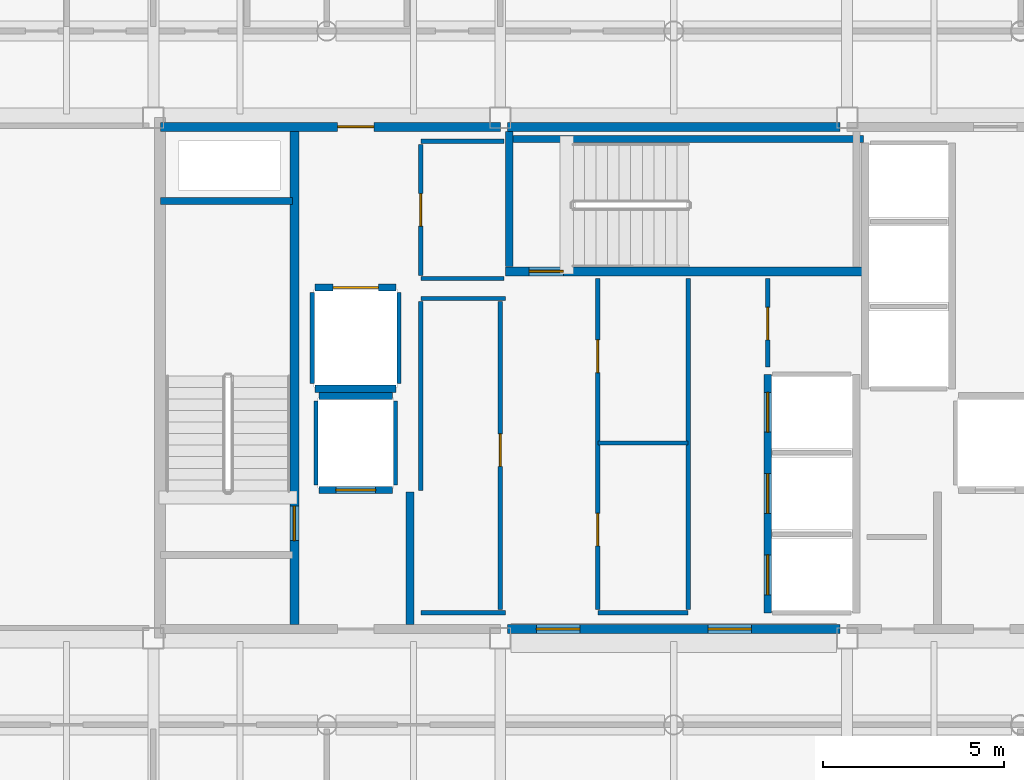
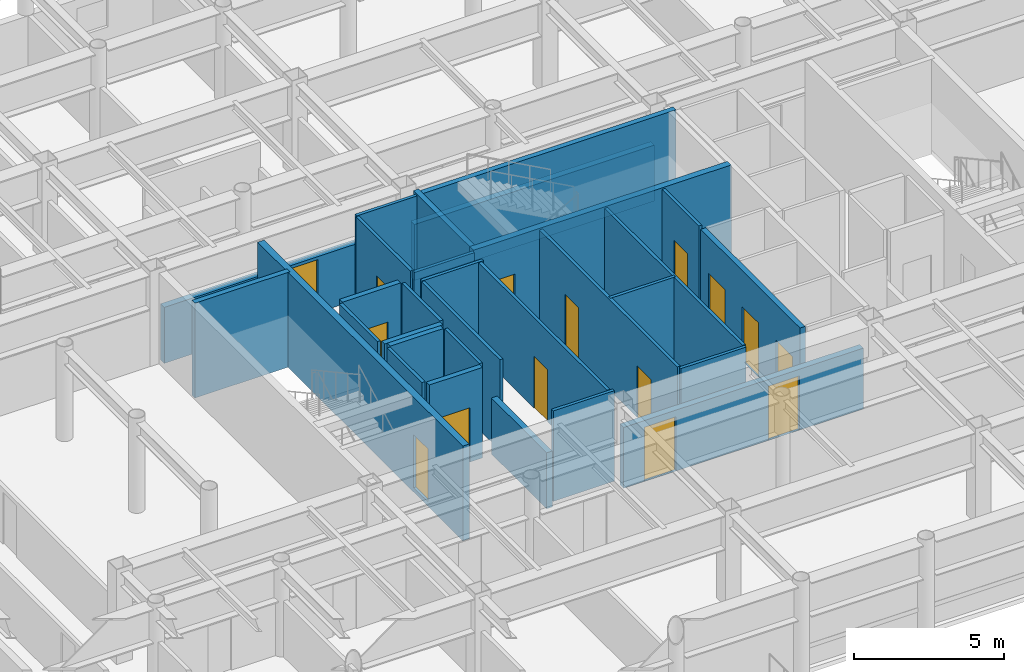
# One storey, part 21 of 26: 30 walls, 15 doors, 15 openings.
"""IFC4 building model written with IfcOpenShell, lengths in metres."""

from ifc_helpers import new_model, si_unit, direction, frame, frame_2d, origin, place, context, subcontext, project, spatial, rectangle, extrude, material, layer, layer_set, type_object, element, fill, save


model = new_model("IFC4")

# Units and contexts
model_context = context("Model", 3, precision=1e-05, world=origin(), true_north=direction((0.0, 1.0)))
body_context = subcontext(model_context, "Body", "Model", "MODEL_VIEW")
ifc_project = project(units=[si_unit("LENGTHUNIT", "METRE"), si_unit("AREAUNIT", "SQUARE_METRE"), si_unit("VOLUMEUNIT", "CUBIC_METRE"), si_unit("PLANEANGLEUNIT", "RADIAN"), si_unit("MASSUNIT", "GRAM", prefix="KILO")], contexts=[model_context])

# Site, building, storey
site_placement = place(None, origin())
site = spatial("IfcSite", under=ifc_project, at=site_placement, CompositionType="ELEMENT")
building_placement = place(site_placement, origin())
building = spatial("IfcBuilding", under=site, at=building_placement, Name="Kallvorn Hotel Tower", CompositionType="ELEMENT")
storey_placement = place(building_placement, frame((0.0, 0.0, 222.300048828125)))
storey = spatial("IfcBuildingStorey", under=building, at=storey_placement, Name="L55", CompositionType="ELEMENT", Elevation=222.300048828125)

# Walls
ifc_material_1 = material(Name="Concrete C40/50", Category="concrete")
ifc_layer_1 = layer(ifc_material_1, 0.219970703125)
ifc_layer_set_1 = layer_set([ifc_layer_1], Name="WL_FFL_220")
wall_type_1 = type_object("IfcWallType", Name="WL_FFL_220", PredefinedType="SOLIDWALL", material=ifc_layer_set_1)
wall_1_placement = place(storey_placement, frame((-7.300048828125, -6.820068359375, 0.0), z_axis=(0.0, 0.0, 1.0), x_axis=(0.0, 1.0, 0.0)))
element("IfcWall", 1, at=wall_1_placement, inside=storey, type_object=wall_type_1, Name="L55 Firefighting Lobby West Divider Wall", PredefinedType="SOLIDWALL", context=body_context, shape_type="SweptSolid", body=[
    extrude(rectangle(XDim=3.670166015625, YDim=0.219970703125, at=frame_2d((1.8349609375, 0.0))), origin(), (0.0, 0.0, 1.0), 2.27001953125),
])
ifc_material_2 = material(Name="Concrete C40/50", Category="concrete")
ifc_layer_2 = layer(ifc_material_2, 0.199951171875)
ifc_layer_set_2 = layer_set([ifc_layer_2], Name="WL_HOIST_200")
wall_type_2 = type_object("IfcWallType", Name="WL_HOIST_200", PredefinedType="SOLIDWALL", material=ifc_layer_set_2)
wall_2_placement = place(storey_placement, frame((-14.199951171875, 4.89990234375, -0.179931640625), z_axis=(0.0, 0.0, 1.0), x_axis=(1.0, 0.0, 0.0)))
element("IfcWall", 2, at=wall_2_placement, inside=storey, type_object=wall_type_2, Name="L55 Stair ST1 North Wall", PredefinedType="SOLIDWALL", context=body_context, shape_type="SweptSolid", body=[
    extrude(rectangle(XDim=3.64990234375, YDim=0.199951171875, at=frame_2d((1.824951171875, 0.0))), origin(), (0.0, 0.0, 1.0), 3.849853515625),
])
wall_3_placement = place(storey_placement, frame((-4.64990234375, 6.610107421875, -0.179931640625), z_axis=(0.0, 0.0, 1.0), x_axis=(1.0, 0.0, 0.0)))
element("IfcWall", 3, at=wall_3_placement, inside=storey, type_object=wall_type_2, Name="L55 Stair ST3 Shaft North Wall", PredefinedType="SOLIDWALL", context=body_context, shape_type="SweptSolid", body=[
    extrude(rectangle(XDim=9.89990234375, YDim=0.199951171875, at=frame_2d((4.949951171875, 0.0))), origin(), (0.0, 0.0, 1.0), 3.849853515625),
])
wall_4_placement = place(storey_placement, frame((-4.550048828125, 3.080078125, -0.179931640625), z_axis=(0.0, 0.0, 1.0), x_axis=(0.0, 1.0, 0.0)))
element("IfcWall", 4, at=wall_4_placement, inside=storey, type_object=wall_type_2, Name="L55 Stair ST3 West Wall", PredefinedType="SOLIDWALL", context=body_context, shape_type="SweptSolid", body=[
    extrude(rectangle(XDim=3.739990234375, YDim=0.199951171875, at=frame_2d((1.8701171875, 0.0))), origin(), (0.0, 0.0, 1.0), 3.849853515625),
])

# Wall, openings, doors
wall_5_placement = place(storey_placement, frame((2.60009765625, -6.5, 0.0), z_axis=(0.0, 0.0, 1.0), x_axis=(0.0, 1.0, 0.0)))
wall_5 = element("IfcWall", 5, at=wall_5_placement, inside=storey, type_object=wall_type_2, Name="L55 Lift Bank B3A Landing Wall", PredefinedType="SOLIDWALL", context=body_context, shape_type="SweptSolid", body=[
    extrude(rectangle(XDim=6.60009765625, YDim=0.199951171875, at=frame_2d((3.300048828125, 0.0))), origin(), (0.0, 0.0, 1.0), 3.669921875),
])
opening_1_placement = place(wall_5_placement, frame((0.5, 0.0, 0.0)))
opening_1 = element("IfcOpeningElement", 6, at=opening_1_placement, cuts=wall_5, Name="Opening LD-PL-09", PredefinedType="OPENING", context=body_context, shape_type="SweptSolid", body=[
    extrude(rectangle(XDim=1.10009765625, YDim=2.199951171875, at=frame_2d((0.550048828125, 1.10009765625))), frame((0.0, 0.114990234375, 0.0), z_axis=(0.0, -1.0, 0.0), x_axis=(1.0, 0.0, 0.0)), (0.0, 0.0, 1.0), 0.22998046875),
])
opening_2_placement = place(wall_5_placement, frame((2.75, 0.0, 0.0)))
opening_2 = element("IfcOpeningElement", 7, at=opening_2_placement, cuts=wall_5, Name="Opening LD-PL-10", PredefinedType="OPENING", context=body_context, shape_type="SweptSolid", body=[
    extrude(rectangle(XDim=1.10009765625, YDim=2.199951171875, at=frame_2d((0.550048828125, 1.10009765625))), frame((0.0, 0.114990234375, 0.0), z_axis=(0.0, -1.0, 0.0), x_axis=(1.0, 0.0, 0.0)), (0.0, 0.0, 1.0), 0.22998046875),
])
opening_3_placement = place(wall_5_placement, frame((5.0, 0.0, 0.0)))
opening_3 = element("IfcOpeningElement", 8, at=opening_3_placement, cuts=wall_5, Name="Opening LD-PL-11", PredefinedType="OPENING", context=body_context, shape_type="SweptSolid", body=[
    extrude(rectangle(XDim=1.10009765625, YDim=2.199951171875, at=frame_2d((0.550048828125, 1.10009765625))), frame((0.0, 0.114990234375, 0.0), z_axis=(0.0, -1.0, 0.0), x_axis=(1.0, 0.0, 0.0)), (0.0, 0.0, 1.0), 0.22998046875),
])
ifc_material_3 = material(Name="Brushed stainless-steel automatic sliding lift landing door", Category="steel")
door_type_1 = type_object("IfcDoorType", Name="LD_PASS_1100x2200", OperationType="SLIDING_TO_LEFT", PredefinedType="DOOR", material=ifc_material_3)
door_1_placement = place(opening_1_placement, origin())
door_1 = element("IfcDoor", 9, at=door_1_placement, inside=storey, type_object=door_type_1, Name="L55 Lift Landing Sliding Door LD-PL-09", OperationType="SLIDING_TO_LEFT", OverallHeight=2.199951171875, OverallWidth=1.10009765625, PredefinedType="DOOR", context=body_context, shape_type="SweptSolid", body=[
    extrude(rectangle(XDim=1.10009765625, YDim=2.199951171875, at=frame_2d((0.550048828125, 1.10009765625))), frame((0.0, 0.02490234375, 0.0), z_axis=(0.0, -1.0, 0.0), x_axis=(1.0, 0.0, 0.0)), (0.0, 0.0, 1.0), 0.050048828125),
])
fill(opening_1, door_1)
door_2_placement = place(opening_2_placement, origin())
door_2 = element("IfcDoor", 10, at=door_2_placement, inside=storey, type_object=door_type_1, Name="L55 Lift Landing Sliding Door LD-PL-10", OperationType="SLIDING_TO_LEFT", OverallHeight=2.199951171875, OverallWidth=1.10009765625, PredefinedType="DOOR", context=body_context, shape_type="SweptSolid", body=[
    extrude(rectangle(XDim=1.10009765625, YDim=2.199951171875, at=frame_2d((0.550048828125, 1.10009765625))), frame((0.0, 0.02490234375, 0.0), z_axis=(0.0, -1.0, 0.0), x_axis=(1.0, 0.0, 0.0)), (0.0, 0.0, 1.0), 0.050048828125),
])
fill(opening_2, door_2)
door_3_placement = place(opening_3_placement, origin())
door_3 = element("IfcDoor", 11, at=door_3_placement, inside=storey, type_object=door_type_1, Name="L55 Lift Landing Sliding Door LD-PL-11", OperationType="SLIDING_TO_LEFT", OverallHeight=2.199951171875, OverallWidth=1.10009765625, PredefinedType="DOOR", context=body_context, shape_type="SweptSolid", body=[
    extrude(rectangle(XDim=1.10009765625, YDim=2.199951171875, at=frame_2d((0.550048828125, 1.10009765625))), frame((0.0, 0.02490234375, 0.0), z_axis=(0.0, -1.0, 0.0), x_axis=(1.0, 0.0, 0.0)), (0.0, 0.0, 1.0), 0.050048828125),
])
fill(opening_3, door_3)

# Wall, opening, door
wall_6_placement = place(storey_placement, frame((-9.820068359375, -3.10009765625, 0.0), z_axis=(0.0, 0.0, 1.0), x_axis=(1.0, 0.0, 0.0)))
wall_6 = element("IfcWall", 12, at=wall_6_placement, inside=storey, type_object=wall_type_2, Name="L55 FL-1 Landing Wall", PredefinedType="SOLIDWALL", context=body_context, shape_type="SweptSolid", body=[
    extrude(rectangle(XDim=2.0400390625, YDim=0.199951171875, at=frame_2d((1.02001953125, 0.0))), origin(), (0.0, 0.0, 1.0), 3.669921875),
])
opening_4_placement = place(wall_6_placement, frame((0.469970703125, 0.0, 0.0)))
opening_4 = element("IfcOpeningElement", 13, at=opening_4_placement, cuts=wall_6, Name="Opening LD-FL-1", PredefinedType="OPENING", context=body_context, shape_type="SweptSolid", body=[
    extrude(rectangle(XDim=1.10009765625, YDim=2.199951171875, at=frame_2d((0.550048828125, 1.10009765625))), frame((0.0, 0.114990234375, 0.0), z_axis=(0.0, -1.0, 0.0), x_axis=(1.0, 0.0, 0.0)), (0.0, 0.0, 1.0), 0.22998046875),
])
door_4_placement = place(opening_4_placement, origin())
door_4 = element("IfcDoor", 14, at=door_4_placement, inside=storey, type_object=door_type_1, Name="L55 Lift Landing Sliding Door LD-FL-1", OperationType="SLIDING_TO_LEFT", OverallHeight=2.199951171875, OverallWidth=1.10009765625, PredefinedType="DOOR", context=body_context, shape_type="SweptSolid", body=[
    extrude(rectangle(XDim=1.10009765625, YDim=2.199951171875, at=frame_2d((0.550048828125, 1.10009765625))), frame((0.0, 0.02490234375, 0.0), z_axis=(0.0, -1.0, 0.0), x_axis=(1.0, 0.0, 0.0)), (0.0, 0.0, 1.0), 0.050048828125),
])
fill(opening_4, door_4)

# Wall
wall_7_placement = place(storey_placement, frame((-9.820068359375, -0.5, 0.0), z_axis=(0.0, 0.0, 1.0), x_axis=(1.0, 0.0, 0.0)))
element("IfcWall", 15, at=wall_7_placement, inside=storey, type_object=wall_type_2, Name="L55 FL-1 Rear Shaft Wall", PredefinedType="SOLIDWALL", context=body_context, shape_type="SweptSolid", body=[
    extrude(rectangle(XDim=2.0400390625, YDim=0.199951171875, at=frame_2d((1.02001953125, 0.0))), origin(), (0.0, 0.0, 1.0), 3.669921875),
])

# Wall, opening, door
wall_8_placement = place(storey_placement, frame((-9.919921875, 2.5, 0.0), z_axis=(0.0, 0.0, 1.0), x_axis=(1.0, 0.0, 0.0)))
wall_8 = element("IfcWall", 16, at=wall_8_placement, inside=storey, type_object=wall_type_2, Name="L55 SV-01 Landing Wall", PredefinedType="SOLIDWALL", context=body_context, shape_type="SweptSolid", body=[
    extrude(rectangle(XDim=2.239990234375, YDim=0.199951171875, at=frame_2d((1.1201171875, 0.0))), origin(), (0.0, 0.0, 1.0), 3.669921875),
])
opening_5_placement = place(wall_8_placement, frame((0.4951171875, 0.0, 0.0)))
opening_5 = element("IfcOpeningElement", 17, at=opening_5_placement, cuts=wall_8, Name="Opening LD-SV-01", PredefinedType="OPENING", context=body_context, shape_type="SweptSolid", body=[
    extrude(rectangle(XDim=1.25, YDim=2.25, at=frame_2d((0.625, 1.125))), frame((0.0, 0.114990234375, 0.0), z_axis=(0.0, -1.0, 0.0), x_axis=(1.0, 0.0, 0.0)), (0.0, 0.0, 1.0), 0.22998046875),
])
ifc_material_4 = material(Name="Brushed stainless-steel automatic sliding lift landing door", Category="steel")
door_type_2 = type_object("IfcDoorType", Name="LD_SERV_1250x2250", OperationType="SLIDING_TO_LEFT", PredefinedType="DOOR", material=ifc_material_4)
door_5_placement = place(opening_5_placement, origin())
door_5 = element("IfcDoor", 18, at=door_5_placement, inside=storey, type_object=door_type_2, Name="L55 Lift Landing Sliding Door LD-SV-01", OperationType="SLIDING_TO_LEFT", OverallHeight=2.25, OverallWidth=1.25, PredefinedType="DOOR", context=body_context, shape_type="SweptSolid", body=[
    extrude(rectangle(XDim=1.25, YDim=2.25, at=frame_2d((0.625, 1.125))), frame((0.0, 0.02490234375, 0.0), z_axis=(0.0, -1.0, 0.0), x_axis=(1.0, 0.0, 0.0)), (0.0, 0.0, 1.0), 0.050048828125),
])
fill(opening_5, door_5)

# Walls
wall_9_placement = place(storey_placement, frame((-9.919921875, -0.300048828125, 0.0), z_axis=(0.0, 0.0, 1.0), x_axis=(1.0, 0.0, 0.0)))
element("IfcWall", 19, at=wall_9_placement, inside=storey, type_object=wall_type_2, Name="L55 SV-01 Rear Shaft Wall", PredefinedType="SOLIDWALL", context=body_context, shape_type="SweptSolid", body=[
    extrude(rectangle(XDim=2.239990234375, YDim=0.199951171875, at=frame_2d((1.1201171875, 0.0))), origin(), (0.0, 0.0, 1.0), 3.669921875),
])
ifc_material_5 = material(Name="Fire-rated double-layer acoustic gypsum drywall EI 60")
ifc_layer_3 = layer(ifc_material_5, 0.1201171875)
ifc_layer_set_3 = layer_set([ifc_layer_3], Name="WL_INT_120")
wall_type_3 = type_object("IfcWallType", Name="WL_INT_120", PredefinedType="PARTITIONING", material=ifc_layer_set_3)
for number, where, z_axis, x_axis, name in (
    (20, (-9.89990234375, -2.9599609375, 0.0), (0.0, 0.0, 1.0), (0.0, 1.0, 0.0), "L55 FL-1 West Shaft Wall"),
    (21, (-7.699951171875, -2.9599609375, 0.0), (0.0, 0.0, 1.0), (0.0, 1.0, 0.0), "L55 FL-1 East Shaft Wall"),
):
    element("IfcWall", number, at=place(storey_placement, frame(where, z_axis=z_axis, x_axis=x_axis)), inside=storey, type_object=wall_type_3, Name=name, PredefinedType="PARTITIONING", context=body_context, shape_type="SweptSolid", body=[
        extrude(rectangle(XDim=2.320068359375, YDim=0.1201171875, at=frame_2d((1.16015625, 0.0))), origin(), (0.0, 0.0, 1.0), 3.669921875),
    ])
for number, where, z_axis, x_axis, name in (
    (22, (-10.0, -0.159912109375, 0.0), (0.0, 0.0, 1.0), (0.0, 1.0, 0.0), "L55 SV-01 West Shaft Wall"),
    (23, (-7.60009765625, -0.159912109375, 0.0), (0.0, 0.0, 1.0), (0.0, 1.0, 0.0), "L55 SV-01 East Shaft Wall"),
):
    element("IfcWall", number, at=place(storey_placement, frame(where, z_axis=z_axis, x_axis=x_axis)), inside=storey, type_object=wall_type_3, Name=name, PredefinedType="PARTITIONING", context=body_context, shape_type="SweptSolid", body=[
        extrude(rectangle(XDim=2.52001953125, YDim=0.1201171875, at=frame_2d((1.260009765625, 0.0))), origin(), (0.0, 0.0, 1.0), 3.669921875),
    ])
wall_10_placement = place(storey_placement, frame((-7.0, -6.5, 0.0), z_axis=(0.0, 0.0, 1.0), x_axis=(1.0, 0.0, 0.0)))
element("IfcWall", 24, at=wall_10_placement, inside=storey, type_object=wall_type_3, Name="L55 Recaptured Butler and Room-Service Pantry Partition", PredefinedType="PARTITIONING", context=body_context, shape_type="SweptSolid", body=[
    extrude(rectangle(XDim=2.35009765625, YDim=0.1201171875, at=frame_2d((1.175048828125, 0.0))), origin(), (0.0, 0.0, 1.0), 3.669921875),
])
for number, where, z_axis, x_axis, name in (
    (25, (-2.10009765625, -6.5, 0.0), (0.0, 0.0, 1.0), (1.0, 0.0, 0.0), "L55 High-Zone Sommelier and Beverage Pantry Partition"),
    (26, (-2.10009765625, -1.800048828125, 0.0), (0.0, 0.0, 1.0), (1.0, 0.0, 0.0), "L55 High-Zone Housekeeping Reserve Store Partition"),
):
    element("IfcWall", number, at=place(storey_placement, frame(where, z_axis=z_axis, x_axis=x_axis)), inside=storey, type_object=wall_type_3, Name=name, PredefinedType="PARTITIONING", context=body_context, shape_type="SweptSolid", body=[
        extrude(rectangle(XDim=2.5, YDim=0.1201171875, at=frame_2d((1.25, 0.0))), origin(), (0.0, 0.0, 1.0), 3.669921875),
    ])
wall_11_placement = place(storey_placement, frame((-7.0, 2.199951171875, 0.0), z_axis=(0.0, 0.0, 1.0), x_axis=(1.0, 0.0, 0.0)))
element("IfcWall", 27, at=wall_11_placement, inside=storey, type_object=wall_type_3, Name="L55 Recaptured Butler and Room-Service Pantry Partition", PredefinedType="PARTITIONING", context=body_context, shape_type="SweptSolid", body=[
    extrude(rectangle(XDim=2.35009765625, YDim=0.1201171875, at=frame_2d((1.175048828125, 0.0))), origin(), (0.0, 0.0, 1.0), 3.669921875),
])
for number, where, z_axis, x_axis, name in (
    (28, (-7.0, 2.75, 0.0), (0.0, 0.0, 1.0), (1.0, 0.0, 0.0), "L55 Recaptured Valet and Linen Reserve Store Partition"),
    (29, (-7.0, 6.550048828125, 0.0), (0.0, 0.0, 1.0), (1.0, 0.0, 0.0), "L55 Recaptured Valet and Linen Reserve Store Partition"),
):
    element("IfcWall", number, at=place(storey_placement, frame(where, z_axis=z_axis, x_axis=x_axis)), inside=storey, type_object=wall_type_3, Name=name, PredefinedType="PARTITIONING", context=body_context, shape_type="SweptSolid", body=[
        extrude(rectangle(XDim=2.31005859375, YDim=0.1201171875, at=frame_2d((1.155029296875, 0.0))), origin(), (0.0, 0.0, 1.0), 3.669921875),
    ])
wall_12_placement = place(storey_placement, frame((-7.0, -3.110107421875, 0.0), z_axis=(0.0, 0.0, 1.0), x_axis=(0.0, 1.0, 0.0)))
element("IfcWall", 30, at=wall_12_placement, inside=storey, type_object=wall_type_3, Name="L55 Recaptured Butler and Room-Service Pantry Partition", PredefinedType="PARTITIONING", context=body_context, shape_type="SweptSolid", body=[
    extrude(rectangle(XDim=5.22509765625, YDim=0.1201171875, at=frame_2d((2.612548828125, 0.0))), origin(), (0.0, 0.0, 1.0), 3.669921875),
])

# Wall, opening, door
wall_13_placement = place(storey_placement, frame((-7.0, 2.8349609375, 0.0), z_axis=(0.0, 0.0, 1.0), x_axis=(0.0, 1.0, 0.0)))
wall_13 = element("IfcWall", 31, at=wall_13_placement, inside=storey, type_object=wall_type_3, Name="L55 Recaptured Valet and Linen Reserve Store Partition", PredefinedType="PARTITIONING", context=body_context, shape_type="SweptSolid", body=[
    extrude(rectangle(XDim=3.630126953125, YDim=0.1201171875, at=frame_2d((1.81494140625, 0.0))), origin(), (0.0, 0.0, 1.0), 3.669921875),
])
opening_6_placement = place(wall_13_placement, frame((1.364990234375, 0.0, 0.0)))
opening_6 = element("IfcOpeningElement", 32, at=opening_6_placement, cuts=wall_13, Name="Opening SVD1", PredefinedType="OPENING", context=body_context, shape_type="SweptSolid", body=[
    extrude(rectangle(XDim=0.89990234375, YDim=2.10009765625, at=frame_2d((0.449951171875, 1.050048828125))), frame((0.0, 0.074951171875, 0.0), z_axis=(0.0, -1.0, 0.0), x_axis=(1.0, 0.0, 0.0)), (0.0, 0.0, 1.0), 0.150146484375),
])
ifc_material_6 = material(Name="Galvanised painted steel fire-rated door assembly", Category="steel")
door_type_3 = type_object("IfcDoorType", Name="DR_SERV_900x2100", OperationType="NOTDEFINED", PredefinedType="DOOR", material=ifc_material_6)
door_6_placement = place(opening_6_placement, origin())
door_6 = element("IfcDoor", 33, at=door_6_placement, inside=storey, type_object=door_type_3, Name="L55 Recaptured Valet and Linen Reserve Store Door", OperationType="SINGLE_SWING_RIGHT", OverallHeight=2.10009765625, OverallWidth=0.89990234375, PredefinedType="DOOR", context=body_context, shape_type="SweptSolid", body=[
    extrude(rectangle(XDim=0.89990234375, YDim=2.10009765625, at=frame_2d((0.449951171875, 1.050048828125))), frame((0.0, 0.02490234375, 0.0), z_axis=(0.0, -1.0, 0.0), x_axis=(1.0, 0.0, 0.0)), (0.0, 0.0, 1.0), 0.050048828125),
])
fill(opening_6, door_6)

wall_14_placement = place(storey_placement, frame((-4.800048828125, -6.4150390625, 0.0), z_axis=(0.0, 0.0, 1.0), x_axis=(0.0, 1.0, 0.0)))
wall_14 = element("IfcWall", 34, at=wall_14_placement, inside=storey, type_object=wall_type_3, Name="L55 Recaptured Butler and Room-Service Pantry Partition", PredefinedType="PARTITIONING", context=body_context, shape_type="SweptSolid", body=[
    extrude(rectangle(XDim=8.530029296875, YDim=0.1201171875, at=frame_2d((4.26513671875, 0.0))), origin(), (0.0, 0.0, 1.0), 3.669921875),
])
opening_7_placement = place(wall_14_placement, frame((3.965087890625, 0.0, 0.0)))
opening_7 = element("IfcOpeningElement", 35, at=opening_7_placement, cuts=wall_14, Name="Opening SVD1", PredefinedType="OPENING", context=body_context, shape_type="SweptSolid", body=[
    extrude(rectangle(XDim=0.89990234375, YDim=2.10009765625, at=frame_2d((0.449951171875, 1.050048828125))), frame((0.0, 0.074951171875, 0.0), z_axis=(0.0, -1.0, 0.0), x_axis=(1.0, 0.0, 0.0)), (0.0, 0.0, 1.0), 0.150146484375),
])
door_7_placement = place(opening_7_placement, origin())
door_7 = element("IfcDoor", 36, at=door_7_placement, inside=storey, type_object=door_type_3, Name="L55 Recaptured Butler and Room-Service Pantry Door", OperationType="SINGLE_SWING_LEFT", OverallHeight=2.10009765625, OverallWidth=0.89990234375, PredefinedType="DOOR", context=body_context, shape_type="SweptSolid", body=[
    extrude(rectangle(XDim=0.89990234375, YDim=2.10009765625, at=frame_2d((0.449951171875, 1.050048828125))), frame((0.0, 0.02490234375, 0.0), z_axis=(0.0, -1.0, 0.0), x_axis=(1.0, 0.0, 0.0)), (0.0, 0.0, 1.0), 0.050048828125),
])
fill(opening_7, door_7)

# Wall, openings, doors
wall_15_placement = place(storey_placement, frame((-2.10009765625, -6.4150390625, 0.0), z_axis=(0.0, 0.0, 1.0), x_axis=(0.0, 1.0, 0.0)))
wall_15 = element("IfcWall", 37, at=wall_15_placement, inside=storey, type_object=wall_type_3, Name="L55 High-Zone Sommelier and Beverage Pantry Partition", PredefinedType="PARTITIONING", context=body_context, shape_type="SweptSolid", body=[
    extrude(rectangle(XDim=9.1650390625, YDim=0.1201171875, at=frame_2d((4.58251953125, 0.0))), origin(), (0.0, 0.0, 1.0), 3.669921875),
])
opening_8_placement = place(wall_15_placement, frame((1.764892578125, 0.0, 0.0)))
opening_8 = element("IfcOpeningElement", 38, at=opening_8_placement, cuts=wall_15, Name="Opening SVD1", PredefinedType="OPENING", context=body_context, shape_type="SweptSolid", body=[
    extrude(rectangle(XDim=0.89990234375, YDim=2.10009765625, at=frame_2d((0.449951171875, 1.050048828125))), frame((0.0, 0.074951171875, 0.0), z_axis=(0.0, -1.0, 0.0), x_axis=(1.0, 0.0, 0.0)), (0.0, 0.0, 1.0), 0.150146484375),
])
opening_9_placement = place(wall_15_placement, frame((6.56494140625, 0.0, 0.0)))
opening_9 = element("IfcOpeningElement", 39, at=opening_9_placement, cuts=wall_15, Name="Opening SVD1", PredefinedType="OPENING", context=body_context, shape_type="SweptSolid", body=[
    extrude(rectangle(XDim=0.89990234375, YDim=2.10009765625, at=frame_2d((0.449951171875, 1.050048828125))), frame((0.0, 0.074951171875, 0.0), z_axis=(0.0, -1.0, 0.0), x_axis=(1.0, 0.0, 0.0)), (0.0, 0.0, 1.0), 0.150146484375),
])
door_8_placement = place(opening_8_placement, origin())
door_8 = element("IfcDoor", 40, at=door_8_placement, inside=storey, type_object=door_type_3, Name="L55 High-Zone Sommelier and Beverage Pantry Door", OperationType="SINGLE_SWING_RIGHT", OverallHeight=2.10009765625, OverallWidth=0.89990234375, PredefinedType="DOOR", context=body_context, shape_type="SweptSolid", body=[
    extrude(rectangle(XDim=0.89990234375, YDim=2.10009765625, at=frame_2d((0.449951171875, 1.050048828125))), frame((0.0, 0.02490234375, 0.0), z_axis=(0.0, -1.0, 0.0), x_axis=(1.0, 0.0, 0.0)), (0.0, 0.0, 1.0), 0.050048828125),
])
fill(opening_8, door_8)
door_9_placement = place(opening_9_placement, origin())
door_9 = element("IfcDoor", 41, at=door_9_placement, inside=storey, type_object=door_type_3, Name="L55 High-Zone Housekeeping Reserve Store Door", OperationType="SINGLE_SWING_RIGHT", OverallHeight=2.10009765625, OverallWidth=0.89990234375, PredefinedType="DOOR", context=body_context, shape_type="SweptSolid", body=[
    extrude(rectangle(XDim=0.89990234375, YDim=2.10009765625, at=frame_2d((0.449951171875, 1.050048828125))), frame((0.0, 0.02490234375, 0.0), z_axis=(0.0, -1.0, 0.0), x_axis=(1.0, 0.0, 0.0)), (0.0, 0.0, 1.0), 0.050048828125),
])
fill(opening_9, door_9)

# Wall
wall_16_placement = place(storey_placement, frame((0.39990234375, -6.4150390625, 0.0), z_axis=(0.0, 0.0, 1.0), x_axis=(0.0, 1.0, 0.0)))
element("IfcWall", 42, at=wall_16_placement, inside=storey, type_object=wall_type_3, Name="L55 High-Zone Sommelier and Beverage Pantry Partition", PredefinedType="PARTITIONING", context=body_context, shape_type="SweptSolid", body=[
    extrude(rectangle(XDim=9.1650390625, YDim=0.1201171875, at=frame_2d((4.58251953125, 0.0))), origin(), (0.0, 0.0, 1.0), 3.669921875),
])

# Wall, opening, door
wall_17_placement = place(storey_placement, frame((2.60009765625, 0.300048828125, 0.0), z_axis=(0.0, 0.0, 1.0), x_axis=(0.0, 1.0, 0.0)))
wall_17 = element("IfcWall", 43, at=wall_17_placement, inside=storey, type_object=wall_type_3, Name="L55 East Core Janitor Room Partition", PredefinedType="PARTITIONING", context=body_context, shape_type="SweptSolid", body=[
    extrude(rectangle(XDim=2.449951171875, YDim=0.1201171875, at=frame_2d((1.22509765625, 0.0))), origin(), (0.0, 0.0, 1.0), 3.669921875),
])
opening_10_placement = place(wall_17_placement, frame((0.75, 0.0, 0.0)))
opening_10 = element("IfcOpeningElement", 44, at=opening_10_placement, cuts=wall_17, Name="Opening SVD1", PredefinedType="OPENING", context=body_context, shape_type="SweptSolid", body=[
    extrude(rectangle(XDim=0.89990234375, YDim=2.10009765625, at=frame_2d((0.449951171875, 1.050048828125))), frame((0.0, 0.074951171875, 0.0), z_axis=(0.0, -1.0, 0.0), x_axis=(1.0, 0.0, 0.0)), (0.0, 0.0, 1.0), 0.150146484375),
])
door_10_placement = place(opening_10_placement, origin())
door_10 = element("IfcDoor", 45, at=door_10_placement, inside=storey, type_object=door_type_3, Name="L55 East Core Janitor Room Door", OperationType="SINGLE_SWING_LEFT", OverallHeight=2.10009765625, OverallWidth=0.89990234375, PredefinedType="DOOR", context=body_context, shape_type="SweptSolid", body=[
    extrude(rectangle(XDim=0.89990234375, YDim=2.10009765625, at=frame_2d((0.449951171875, 1.050048828125))), frame((0.0, 0.02490234375, 0.0), z_axis=(0.0, -1.0, 0.0), x_axis=(1.0, 0.0, 0.0)), (0.0, 0.0, 1.0), 0.050048828125),
])
fill(opening_10, door_10)

# Wall, openings, doors
ifc_material_7 = material(Name="Concrete C40/50", Category="concrete")
ifc_layer_4 = layer(ifc_material_7, 0.25)
ifc_layer_set_4 = layer_set([ifc_layer_4], Name="WL_SHAFT_250")
wall_type_4 = type_object("IfcWallType", Name="WL_SHAFT_250", PredefinedType="SOLIDWALL", material=ifc_layer_set_4)
wall_18_placement = place(storey_placement, frame((-4.60009765625, -6.949951171875, 0.0), z_axis=(0.0, 0.0, 1.0), x_axis=(1.0, 0.0, 0.0)))
wall_18 = element("IfcWall", 46, at=wall_18_placement, inside=storey, type_object=wall_type_4, Name="L55 Core South-Central Wall", PredefinedType="SOLIDWALL", context=body_context, shape_type="SweptSolid", body=[
    extrude(rectangle(XDim=9.2001953125, YDim=0.25, at=frame_2d((4.60009765625, 0.0))), origin(), (0.0, 0.0, 1.0), 2.469970703125),
])
opening_11_placement = place(wall_18_placement, frame((0.800048828125, 0.0, 0.0)))
opening_11 = element("IfcOpeningElement", 47, at=opening_11_placement, cuts=wall_18, Name="Opening FD2", PredefinedType="OPENING", context=body_context, shape_type="SweptSolid", body=[
    extrude(rectangle(XDim=1.199951171875, YDim=2.199951171875, at=frame_2d((0.60009765625, 1.10009765625))), frame((0.0, 0.139892578125, 0.0), z_axis=(0.0, -1.0, 0.0), x_axis=(1.0, 0.0, 0.0)), (0.0, 0.0, 1.0), 0.280029296875),
])
opening_12_placement = place(wall_18_placement, frame((5.550048828125, 0.0, 0.0)))
opening_12 = element("IfcOpeningElement", 48, at=opening_12_placement, cuts=wall_18, Name="Opening FD2", PredefinedType="OPENING", context=body_context, shape_type="SweptSolid", body=[
    extrude(rectangle(XDim=1.199951171875, YDim=2.199951171875, at=frame_2d((0.60009765625, 1.10009765625))), frame((0.0, 0.139892578125, 0.0), z_axis=(0.0, -1.0, 0.0), x_axis=(1.0, 0.0, 0.0)), (0.0, 0.0, 1.0), 0.280029296875),
])
ifc_material_8 = material(Name="Galvanised painted steel fire-rated door assembly", Category="steel")
door_type_4 = type_object("IfcDoorType", Name="DR_LOBBY_1200x2200", OperationType="DOUBLE_DOOR_SINGLE_SWING", PredefinedType="DOOR", material=ifc_material_8)
door_11_placement = place(opening_11_placement, origin())
door_11 = element("IfcDoor", 49, at=door_11_placement, inside=storey, type_object=door_type_4, Name="L55 West Passenger Lift Lobby Door", OperationType="DOUBLE_DOOR_SINGLE_SWING", OverallHeight=2.199951171875, OverallWidth=1.199951171875, PredefinedType="DOOR", context=body_context, shape_type="SweptSolid", body=[
    extrude(rectangle(XDim=1.199951171875, YDim=2.199951171875, at=frame_2d((0.60009765625, 1.10009765625))), frame((0.0, 0.02490234375, 0.0), z_axis=(0.0, -1.0, 0.0), x_axis=(1.0, 0.0, 0.0)), (0.0, 0.0, 1.0), 0.050048828125),
])
fill(opening_11, door_11)
door_12_placement = place(opening_12_placement, origin())
door_12 = element("IfcDoor", 50, at=door_12_placement, inside=storey, type_object=door_type_4, Name="L55 East Passenger Lift Lobby Door", OperationType="DOUBLE_DOOR_SINGLE_SWING", OverallHeight=2.199951171875, OverallWidth=1.199951171875, PredefinedType="DOOR", context=body_context, shape_type="SweptSolid", body=[
    extrude(rectangle(XDim=1.199951171875, YDim=2.199951171875, at=frame_2d((0.60009765625, 1.10009765625))), frame((0.0, 0.02490234375, 0.0), z_axis=(0.0, -1.0, 0.0), x_axis=(1.0, 0.0, 0.0)), (0.0, 0.0, 1.0), 0.050048828125),
])
fill(opening_12, door_12)

# Wall, opening, door
wall_19_placement = place(storey_placement, frame((-14.199951171875, 6.949951171875, 0.0), z_axis=(0.0, 0.0, 1.0), x_axis=(1.0, 0.0, 0.0)))
wall_19 = element("IfcWall", 51, at=wall_19_placement, inside=storey, type_object=wall_type_4, Name="L55 Core North-West Wall", PredefinedType="SOLIDWALL", context=body_context, shape_type="SweptSolid", body=[
    extrude(rectangle(XDim=9.39990234375, YDim=0.25, at=frame_2d((4.699951171875, 0.0))), origin(), (0.0, 0.0, 1.0), 2.27001953125),
])
opening_13_placement = place(wall_19_placement, frame((4.89990234375, 0.0, 0.0)))
opening_13 = element("IfcOpeningElement", 52, at=opening_13_placement, cuts=wall_19, Name="Opening FD1", PredefinedType="OPENING", context=body_context, shape_type="SweptSolid", body=[
    extrude(rectangle(XDim=1.0, YDim=2.14990234375, at=frame_2d((0.5, 1.074951171875))), frame((0.0, 0.139892578125, 0.0), z_axis=(0.0, -1.0, 0.0), x_axis=(1.0, 0.0, 0.0)), (0.0, 0.0, 1.0), 0.280029296875),
])
ifc_material_9 = material(Name="Galvanised painted steel fire-rated door assembly", Category="steel")
door_type_5 = type_object("IfcDoorType", Name="DR_FFL_1000x2150", OperationType="NOTDEFINED", PredefinedType="DOOR", material=ifc_material_9)
door_13_placement = place(opening_13_placement, origin())
door_13 = element("IfcDoor", 53, at=door_13_placement, inside=storey, type_object=door_type_5, Name="L55 Service Lift Lobby Door", OperationType="SINGLE_SWING_LEFT", OverallHeight=2.14990234375, OverallWidth=1.0, PredefinedType="DOOR", context=body_context, shape_type="SweptSolid", body=[
    extrude(rectangle(XDim=1.0, YDim=2.14990234375, at=frame_2d((0.5, 1.074951171875))), frame((0.0, 0.02490234375, 0.0), z_axis=(0.0, -1.0, 0.0), x_axis=(1.0, 0.0, 0.0)), (0.0, 0.0, 1.0), 0.050048828125),
])
fill(opening_13, door_13)

# Wall
wall_20_placement = place(storey_placement, frame((-4.60009765625, 6.949951171875, 0.0), z_axis=(0.0, 0.0, 1.0), x_axis=(1.0, 0.0, 0.0)))
element("IfcWall", 54, at=wall_20_placement, inside=storey, type_object=wall_type_4, Name="L55 Core North-Central Wall", PredefinedType="SOLIDWALL", context=body_context, shape_type="SweptSolid", body=[
    extrude(rectangle(XDim=9.2001953125, YDim=0.25, at=frame_2d((4.60009765625, 0.0))), origin(), (0.0, 0.0, 1.0), 2.27001953125),
])

# Wall, opening, door
wall_21_placement = place(storey_placement, frame((-10.5, -6.820068359375, -0.179931640625), z_axis=(0.0, 0.0, 1.0), x_axis=(0.0, 1.0, 0.0)))
wall_21 = element("IfcWall", 55, at=wall_21_placement, inside=storey, type_object=wall_type_4, Name="L55 Stair ST1 Shaft Wall", PredefinedType="SOLIDWALL", context=body_context, shape_type="SweptSolid", body=[
    extrude(rectangle(XDim=13.64013671875, YDim=0.25, at=frame_2d((6.820068359375, 0.0))), origin(), (0.0, 0.0, 1.0), 3.849853515625),
])
opening_14_placement = place(wall_21_placement, frame((2.320068359375, 0.0, 0.179931640625)))
opening_14 = element("IfcOpeningElement", 56, at=opening_14_placement, cuts=wall_21, Name="Opening SD1", PredefinedType="OPENING", context=body_context, shape_type="SweptSolid", body=[
    extrude(rectangle(XDim=0.949951171875, YDim=2.14990234375, at=frame_2d((0.47509765625, 1.074951171875))), frame((0.0, 0.139892578125, 0.0), z_axis=(0.0, -1.0, 0.0), x_axis=(1.0, 0.0, 0.0)), (0.0, 0.0, 1.0), 0.280029296875),
])
ifc_material_10 = material(Name="Galvanised painted steel fire-rated door assembly", Category="steel")
door_type_6 = type_object("IfcDoorType", Name="DR_STAIR_950x2150", OperationType="NOTDEFINED", PredefinedType="DOOR", material=ifc_material_10)
door_14_placement = place(opening_14_placement, origin())
door_14 = element("IfcDoor", 57, at=door_14_placement, inside=storey, type_object=door_type_6, Name="L55 Exit Stair ST1 Fire Door", OperationType="SINGLE_SWING_RIGHT", OverallHeight=2.14990234375, OverallWidth=0.949951171875, PredefinedType="DOOR", context=body_context, shape_type="SweptSolid", body=[
    extrude(rectangle(XDim=0.949951171875, YDim=2.14990234375, at=frame_2d((0.47509765625, 1.074951171875))), frame((0.0, 0.02490234375, 0.0), z_axis=(0.0, -1.0, 0.0), x_axis=(1.0, 0.0, 0.0)), (0.0, 0.0, 1.0), 0.050048828125),
])
fill(opening_14, door_14)

wall_22_placement = place(storey_placement, frame((-4.64990234375, 2.949951171875, -0.179931640625), z_axis=(0.0, 0.0, 1.0), x_axis=(1.0, 0.0, 0.0)))
wall_22 = element("IfcWall", 58, at=wall_22_placement, inside=storey, type_object=wall_type_4, Name="L55 Stair ST3 Shaft South Wall", PredefinedType="SOLIDWALL", context=body_context, shape_type="SweptSolid", body=[
    extrude(rectangle(XDim=9.89990234375, YDim=0.25, at=frame_2d((4.949951171875, 0.0))), origin(), (0.0, 0.0, 1.0), 3.849853515625),
])
opening_15_placement = place(wall_22_placement, frame((0.64990234375, 0.0, 0.179931640625)))
opening_15 = element("IfcOpeningElement", 59, at=opening_15_placement, cuts=wall_22, Name="Opening SD1", PredefinedType="OPENING", context=body_context, shape_type="SweptSolid", body=[
    extrude(rectangle(XDim=0.949951171875, YDim=2.14990234375, at=frame_2d((0.47509765625, 1.074951171875))), frame((0.0, 0.139892578125, 0.0), z_axis=(0.0, -1.0, 0.0), x_axis=(1.0, 0.0, 0.0)), (0.0, 0.0, 1.0), 0.280029296875),
])
door_15_placement = place(opening_15_placement, origin())
door_15 = element("IfcDoor", 60, at=door_15_placement, inside=storey, type_object=door_type_6, Name="L55 Exit Stair ST3 Fire Door", OperationType="SINGLE_SWING_LEFT", OverallHeight=2.14990234375, OverallWidth=0.949951171875, PredefinedType="DOOR", context=body_context, shape_type="SweptSolid", body=[
    extrude(rectangle(XDim=0.949951171875, YDim=2.14990234375, at=frame_2d((0.47509765625, 1.074951171875))), frame((0.0, 0.02490234375, 0.0), z_axis=(0.0, -1.0, 0.0), x_axis=(1.0, 0.0, 0.0)), (0.0, 0.0, 1.0), 0.050048828125),
])
fill(opening_15, door_15)

save(model, "model.ifc")
